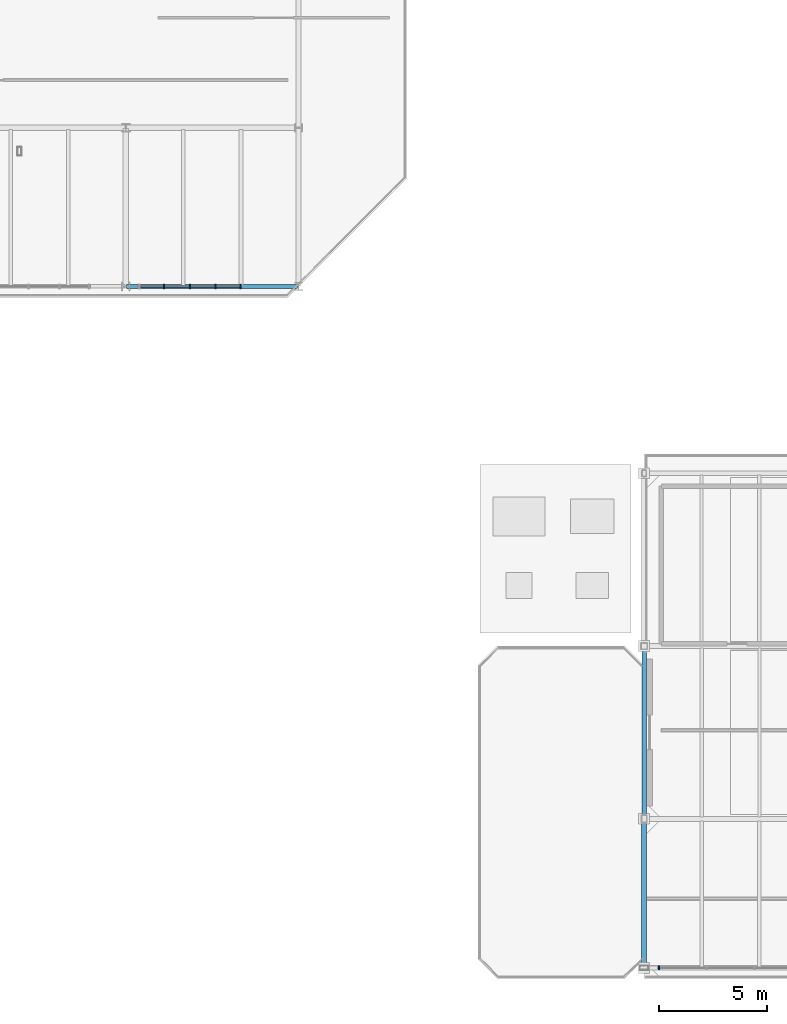
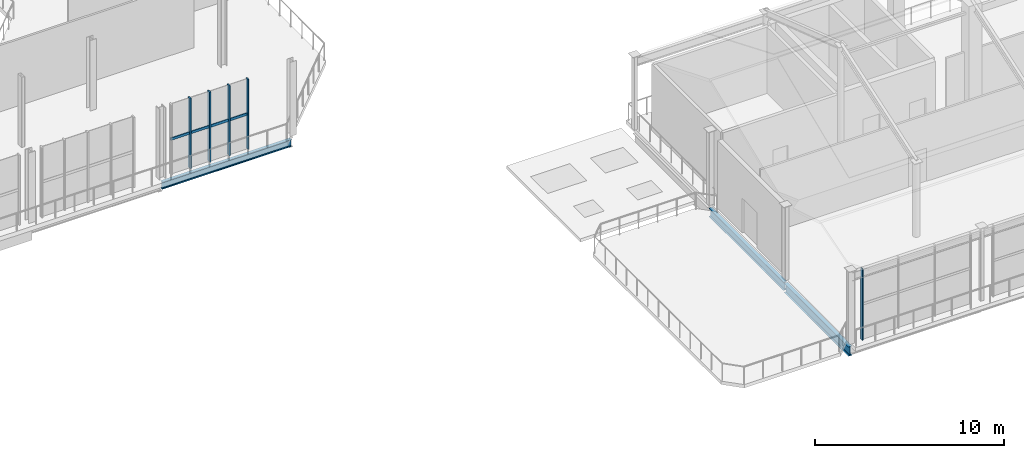
# One storey, part 18 of 51: 9 members, 3 beams, 2 elements without a shape of their own.
"""IFC4 building model written with IfcOpenShell, lengths in metres."""

from ifc_helpers import new_model, si_unit, direction, frame, origin, origin_2d, place, context, subcontext, project, spatial, rectangle, i_section, extrude, material, material_profile, profile_set, type_object, element, aggregate, save


model = new_model("IFC4")

# Units and contexts
model_context = context("Model", 3, precision=1e-05, world=origin(), true_north=direction((0.0, 1.0)))
body_context = subcontext(model_context, "Body", "Model", "MODEL_VIEW")
ifc_project = project(units=[si_unit("LENGTHUNIT", "METRE"), si_unit("AREAUNIT", "SQUARE_METRE"), si_unit("VOLUMEUNIT", "CUBIC_METRE"), si_unit("PLANEANGLEUNIT", "RADIAN"), si_unit("MASSUNIT", "GRAM", prefix="KILO")], contexts=[model_context])

# Site, building, storey
site_placement = place(None, origin())
site = spatial("IfcSite", under=ifc_project, at=site_placement, CompositionType="ELEMENT")
building_placement = place(site_placement, origin())
building = spatial("IfcBuilding", under=site, at=building_placement, Name="Brisemont Oceanarium", CompositionType="ELEMENT")
storey_placement = place(building_placement, frame((0.0, 0.0, 15.0)))
storey = spatial("IfcBuildingStorey", under=building, at=storey_placement, Name="L03", CompositionType="ELEMENT", Elevation=15.0)

# Beams
ifc_material_1 = material(Name="Structural Steel ASTM A992 Gr.50", Category="steel")
ifc_material_profile_1 = material_profile(ifc_material_1, i_section(OverallWidth=0.19091796875, OverallDepth=0.4599609375, WebThickness=0.010009765625, FlangeThickness=0.01611328125, FilletRadius=0.010986328125, at=origin_2d()), Name="W18X55")
ifc_profile_set_1 = profile_set([ifc_material_profile_1], Name="Structural Steel ASTM A992 Gr.50")
beam_type_1 = type_object("IfcBeamType", Name="BM-W18X55", PredefinedType="SPANDREL", material=ifc_profile_set_1)
beam_1_placement = place(storey_placement, frame((96.0400390625, 32.64990234375, -0.510009765625), z_axis=(1.0, 0.0, 0.0), x_axis=(0.0, 1.0, 0.0)))
element("IfcBeam", 1, at=beam_1_placement, inside=storey, type_object=beam_type_1, Name="V1 L03 EW girder", PredefinedType="SPANDREL", context=body_context, shape_type="SweptSolid", body=[
    extrude(i_section(OverallWidth=0.19091796875, OverallDepth=0.4599609375, WebThickness=0.010009765625, FlangeThickness=0.01611328125, FilletRadius=0.010986328125, at=origin_2d()), origin(), (0.0, 0.0, 1.0), 7.919921875),
])
ifc_material_2 = material(Name="Structural Steel ASTM A992 Gr.50", Category="steel")
ifc_material_profile_2 = material_profile(ifc_material_2, i_section(OverallWidth=0.2099609375, OverallDepth=0.532958984375, WebThickness=0.01025390625, FlangeThickness=0.015625, FilletRadius=0.012939453125, at=origin_2d()), Name="W21X62")
ifc_profile_set_2 = profile_set([ifc_material_profile_2], Name="Structural Steel ASTM A992 Gr.50")
beam_type_2 = type_object("IfcBeamType", Name="BM-W21X62", PredefinedType="BEAM", material=ifc_profile_set_2)
beam_2_placement = place(storey_placement, frame((120.0, 8.0400390625, -0.506591796875), z_axis=(0.0, 1.0, 0.0), x_axis=(-1.0, 0.0, 0.0)))
element("IfcBeam", 2, at=beam_2_placement, inside=storey, type_object=beam_type_2, Name="V3 L03 NS girder", PredefinedType="BEAM", context=body_context, shape_type="SweptSolid", body=[
    extrude(i_section(OverallWidth=0.2099609375, OverallDepth=0.532958984375, WebThickness=0.01025390625, FlangeThickness=0.015625, FilletRadius=0.012939453125, at=origin_2d()), origin(), (0.0, 0.0, 1.0), 7.919921875),
])
ifc_material_3 = material(Name="Structural Steel ASTM A992 Gr.50", Category="steel")
ifc_material_profile_3 = material_profile(ifc_material_3, i_section(OverallWidth=0.22802734375, OverallDepth=0.60205078125, WebThickness=0.010498046875, FlangeThickness=0.014892578125, FilletRadius=0.012939453125, at=origin_2d()), Name="W24X68")
ifc_profile_set_3 = profile_set([ifc_material_profile_3], Name="Structural Steel ASTM A992 Gr.50")
beam_type_3 = type_object("IfcBeamType", Name="BM-W24X68", PredefinedType="BEAM", material=ifc_profile_set_3)
beam_3_placement = place(storey_placement, frame((120.0, 1.139892578125, -0.541015625), z_axis=(0.0, 1.0, 0.0), x_axis=(-1.0, 0.0, 0.0)))
element("IfcBeam", 3, at=beam_3_placement, inside=storey, type_object=beam_type_3, Name="V3 L03 NS girder", PredefinedType="BEAM", context=body_context, shape_type="SweptSolid", body=[
    extrude(i_section(OverallWidth=0.22802734375, OverallDepth=0.60205078125, WebThickness=0.010498046875, FlangeThickness=0.014892578125, FilletRadius=0.012939453125, at=origin_2d()), origin(), (0.0, 0.0, 1.0), 6.820068359375),
])

# Curtain wall, member
ifc_material_4 = material(Name="Anodized Extruded Aluminum 6063-T6", Category="aluminium")
curtain_wall_type_1 = type_object("IfcCurtainWallType", Name="CW-EDU-58X43", PredefinedType="NOTDEFINED", material=ifc_material_4)
curtain_wall_1_placement = place(storey_placement, origin())
curtain_wall_1 = element("IfcCurtainWall", 4, at=curtain_wall_1_placement, inside=storey, type_object=curtain_wall_type_1, Name="CW-10 curtain wall CW-V3-S-L03-01", PredefinedType="NOTDEFINED")
ifc_material_5 = material(Name="Anodized Extruded Aluminum 6063-T6", Category="aluminium")
ifc_material_profile_4 = material_profile(ifc_material_5, rectangle(XDim=0.06494140625, YDim=0.179931640625, at=origin_2d()), Name="CWM-65X180")
ifc_profile_set_4 = profile_set([ifc_material_profile_4], Name="Anodized Extruded Aluminum 6063-T6")
member_type_1 = type_object("IfcMemberType", Name="MEM-CWM-65", PredefinedType="MULLION", material=ifc_profile_set_4)
member_1_placement = place(storey_placement, frame((120.695068359375, 1.10009765625, 0.0), z_axis=(0.0, 0.0, 1.0), x_axis=(1.0, 0.0, 0.0)))
member_1 = element("IfcMember", 5, at=member_1_placement, type_object=member_type_1, Name="CW-V3-S-L03-01 mullion 1", PredefinedType="MULLION", context=body_context, shape_type="SweptSolid", body=[
    extrude(rectangle(XDim=0.06494140625, YDim=0.179931640625, at=origin_2d()), origin(), (0.0, 0.0, 1.0), 4.60009765625),
])
aggregate(curtain_wall_1, [member_1])

# Curtain wall, members
ifc_material_6 = material(Name="Anodized Extruded Aluminum 6063-T6", Category="aluminium")
curtain_wall_type_2 = type_object("IfcCurtainWallType", Name="CW-ROT-69X44", PredefinedType="NOTDEFINED", material=ifc_material_6)
curtain_wall_2_placement = place(storey_placement, origin())
curtain_wall_2 = element("IfcCurtainWall", 6, at=curtain_wall_2_placement, inside=storey, type_object=curtain_wall_type_2, Name="CW-03 curtain wall CW-V1-S-L03-05", PredefinedType="NOTDEFINED")
ifc_material_7 = material(Name="Anodized Extruded Aluminum 6063-T6", Category="aluminium")
ifc_material_profile_5 = material_profile(ifc_material_7, rectangle(XDim=0.074951171875, YDim=0.219970703125, at=origin_2d()), Name="CWM-75X220")
ifc_profile_set_5 = profile_set([ifc_material_profile_5], Name="Anodized Extruded Aluminum 6063-T6")
member_type_2 = type_object("IfcMemberType", Name="MEM-CWM-75", PredefinedType="MULLION", material=ifc_profile_set_5)
member_2_placement = place(storey_placement, frame((97.7724609375, 32.64990234375, 0.0), z_axis=(0.0, 0.0, 1.0), x_axis=(1.0, 0.0, 0.0)))
member_2 = element("IfcMember", 7, at=member_2_placement, type_object=member_type_2, Name="CW-V1-S-L03-05 mullion 2", PredefinedType="MULLION", context=body_context, shape_type="SweptSolid", body=[
    extrude(rectangle(XDim=0.074951171875, YDim=0.219970703125, at=origin_2d()), origin(), (0.0, 0.0, 1.0), 4.5400390625),
])
member_3_placement = place(storey_placement, frame((98.965087890625, 32.64990234375, 0.0), z_axis=(0.0, 0.0, 1.0), x_axis=(1.0, 0.0, 0.0)))
member_3 = element("IfcMember", 8, at=member_3_placement, type_object=member_type_2, Name="CW-V1-S-L03-05 mullion 3", PredefinedType="MULLION", context=body_context, shape_type="SweptSolid", body=[
    extrude(rectangle(XDim=0.074951171875, YDim=0.219970703125, at=origin_2d()), origin(), (0.0, 0.0, 1.0), 4.5400390625),
])
member_4_placement = place(storey_placement, frame((100.157470703125, 32.64990234375, 0.0), z_axis=(0.0, 0.0, 1.0), x_axis=(1.0, 0.0, 0.0)))
member_4 = element("IfcMember", 9, at=member_4_placement, type_object=member_type_2, Name="CW-V1-S-L03-05 mullion 4", PredefinedType="MULLION", context=body_context, shape_type="SweptSolid", body=[
    extrude(rectangle(XDim=0.074951171875, YDim=0.219970703125, at=origin_2d()), origin(), (0.0, 0.0, 1.0), 4.5400390625),
])
member_5_placement = place(storey_placement, frame((101.304931640625, 32.64990234375, 0.0), z_axis=(0.0, 0.0, 1.0), x_axis=(1.0, 0.0, 0.0)))
member_5 = element("IfcMember", 10, at=member_5_placement, type_object=member_type_2, Name="CW-V1-S-L03-05 mullion 5", PredefinedType="MULLION", context=body_context, shape_type="SweptSolid", body=[
    extrude(rectangle(XDim=0.074951171875, YDim=0.219970703125, at=origin_2d()), origin(), (0.0, 0.0, 1.0), 4.5400390625),
])
ifc_material_8 = material(Name="Anodized Extruded Aluminum 6063-T6", Category="aluminium")
ifc_material_profile_6 = material_profile(ifc_material_8, rectangle(XDim=0.074951171875, YDim=0.1650390625, at=origin_2d()), Name="CWT-75X165")
ifc_profile_set_6 = profile_set([ifc_material_profile_6], Name="Anodized Extruded Aluminum 6063-T6")
member_type_3 = type_object("IfcMemberType", Name="MEM-CWT-75", PredefinedType="USERDEFINED", material=ifc_profile_set_6)
member_6_placement = place(storey_placement, frame((96.594970703125, 32.64990234375, 2.27001953125), z_axis=(1.0, 0.0, 0.0), x_axis=(0.0, 1.0, 0.0)))
member_6 = element("IfcMember", 11, at=member_6_placement, type_object=member_type_3, Name="CW-V1-S-L03-05 transom 1.1", ObjectType="TRANSOM", PredefinedType="USERDEFINED", context=body_context, shape_type="SweptSolid", body=[
    extrude(rectangle(XDim=0.074951171875, YDim=0.1650390625, at=origin_2d()), origin(), (0.0, 0.0, 1.0), 1.16259765625),
])
member_7_placement = place(storey_placement, frame((97.78759765625, 32.64990234375, 2.27001953125), z_axis=(1.0, 0.0, 0.0), x_axis=(0.0, 1.0, 0.0)))
member_7 = element("IfcMember", 12, at=member_7_placement, type_object=member_type_3, Name="CW-V1-S-L03-05 transom 2.1", ObjectType="TRANSOM", PredefinedType="USERDEFINED", context=body_context, shape_type="SweptSolid", body=[
    extrude(rectangle(XDim=0.074951171875, YDim=0.1650390625, at=origin_2d()), origin(), (0.0, 0.0, 1.0), 1.162353515625),
])
member_8_placement = place(storey_placement, frame((98.97998046875, 32.64990234375, 2.27001953125), z_axis=(1.0, 0.0, 0.0), x_axis=(0.0, 1.0, 0.0)))
member_8 = element("IfcMember", 13, at=member_8_placement, type_object=member_type_3, Name="CW-V1-S-L03-05 transom 3.1", ObjectType="TRANSOM", PredefinedType="USERDEFINED", context=body_context, shape_type="SweptSolid", body=[
    extrude(rectangle(XDim=0.074951171875, YDim=0.1650390625, at=origin_2d()), origin(), (0.0, 0.0, 1.0), 1.16259765625),
])
member_9_placement = place(storey_placement, frame((100.172607421875, 32.64990234375, 2.27001953125), z_axis=(1.0, 0.0, 0.0), x_axis=(0.0, 1.0, 0.0)))
member_9 = element("IfcMember", 14, at=member_9_placement, type_object=member_type_3, Name="CW-V1-S-L03-05 transom 4.1", ObjectType="TRANSOM", PredefinedType="USERDEFINED", context=body_context, shape_type="SweptSolid", body=[
    extrude(rectangle(XDim=0.074951171875, YDim=0.1650390625, at=origin_2d()), origin(), (0.0, 0.0, 1.0), 1.162353515625),
])
aggregate(curtain_wall_2, [member_2, member_3, member_4, member_5, member_6, member_7, member_8, member_9])

save(model, "model.ifc")
